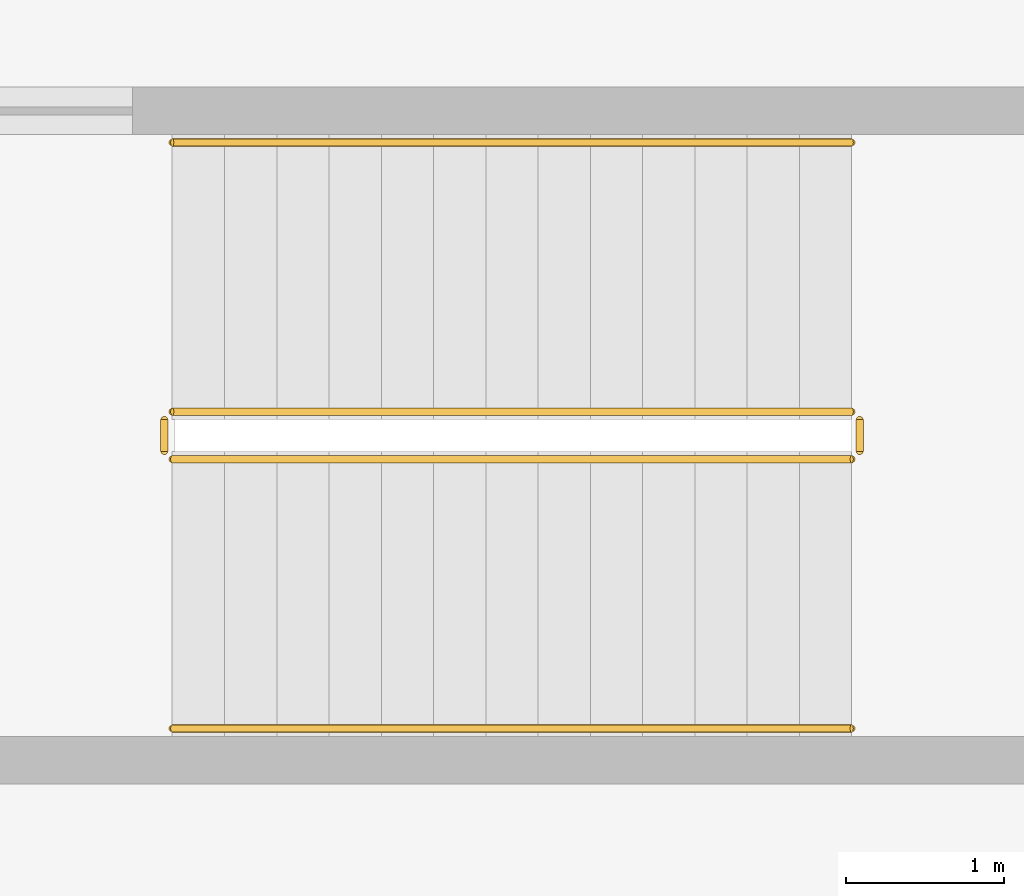
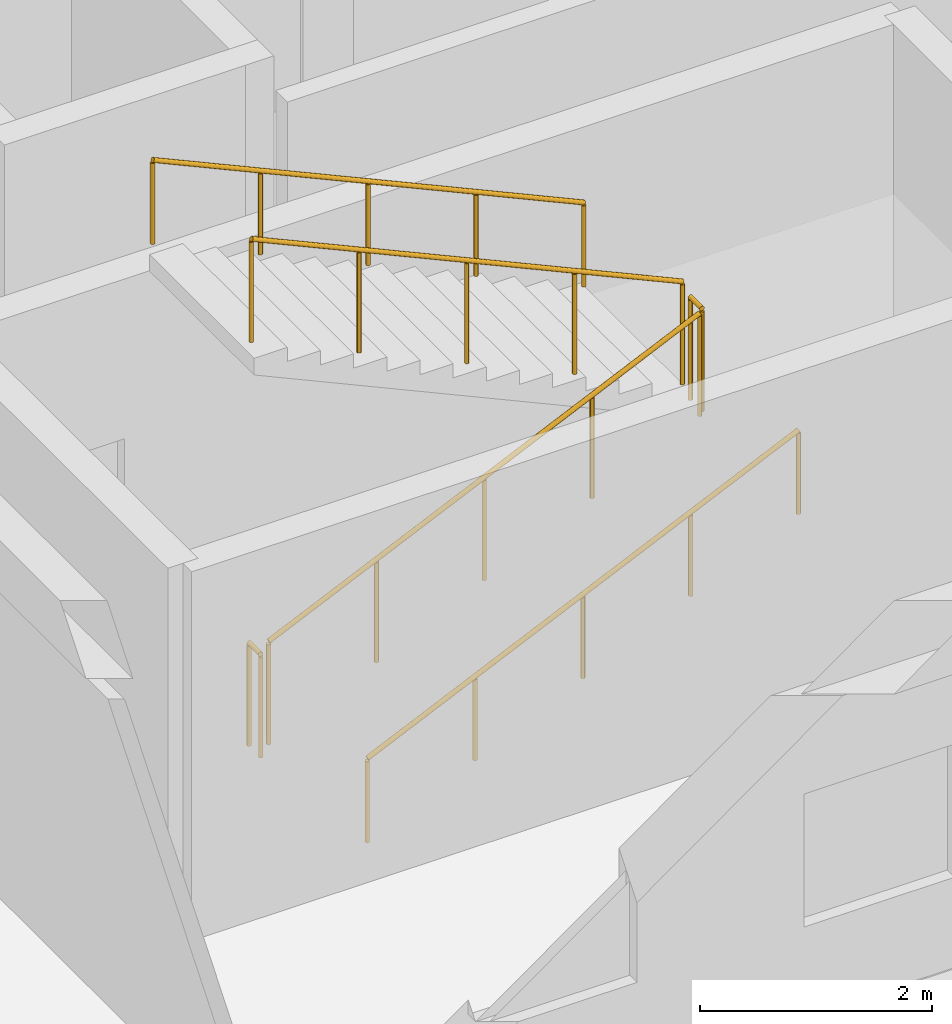
# One storey, part 40 of 41: 6 railings.
"""IFC4 building model written with IfcOpenShell, lengths in metres."""

import ifcopenshell
import ifcopenshell.guid

model = None  # the IFC model being written
_history = None  # IfcOwnerHistory: only IFC2X3 demands one
_inside = {}  # id of a spatial element -> (the spatial element, [elements in it])
_under = {}  # id of a project, library or spatial element -> (it, [spatial elements below it])
_declared = {}  # id of a project -> (the project, [libraries it declares])
_typed = {}  # id of a type object -> (the type object, [elements of that type])
_made_of = {}  # id of a material, layer set ... -> (it, [elements and type objects made of it])


def new_model(schema):
    """Start an empty IFC model of exactly this schema.

    Asked for "IFC4X3", IfcOpenShell would pick the latest addendum, in which some entities
    have other attributes; the version numbers below select the first issue.
    IFC2X3 requires an IfcOwnerHistory on every rooted entity: one is made here for all.
    """
    global model, _history
    if schema == "IFC4X3":
        model = ifcopenshell.file(schema_version=(4, 3, 0, 0))
    else:
        model = ifcopenshell.file(schema=schema)
    _inside.clear()
    _under.clear()
    _declared.clear()
    _typed.clear()
    _made_of.clear()
    _history = None
    if model.schema == "IFC2X3":
        org = make("IfcOrganization", Name="unknown")
        user = make(
            "IfcPersonAndOrganization",
            ThePerson=make("IfcPerson", FamilyName="unknown"),
            TheOrganization=org,
        )
        app = make(
            "IfcApplication",
            ApplicationDeveloper=org,
            Version="unknown",
            ApplicationFullName="unknown",
            ApplicationIdentifier="unknown",
        )
        _history = make(
            "IfcOwnerHistory",
            OwningUser=user,
            OwningApplication=app,
            ChangeAction="ADDED",
            CreationDate=0,
        )
    return model


def make(cls, **values):
    """One entity of the class cls with the attributes given. An attribute that is None is left unset."""
    return model.create_entity(
        cls, **{name: value for name, value in values.items() if value is not None}
    )


def rooted(cls, **values):
    """An entity with a GlobalId (a new one), such as an element, a storey or a relation."""
    return make(cls, GlobalId=ifcopenshell.guid.new(), OwnerHistory=_history, **values)


def si_unit(unit_type, name, prefix=None):
    """IfcSIUnit, for example si_unit("LENGTHUNIT", "METRE", prefix="MILLI")."""
    return make("IfcSIUnit", UnitType=unit_type, Prefix=prefix, Name=name)


def assignment(units):
    """IfcUnitAssignment: the units of a project."""
    return None if units is None else make("IfcUnitAssignment", Units=units)


def point(xyz):
    """IfcCartesianPoint."""
    return None if xyz is None else make("IfcCartesianPoint", Coordinates=xyz)


def direction(xyz):
    """IfcDirection."""
    return None if xyz is None else make("IfcDirection", DirectionRatios=xyz)


def frame(location, z_axis=None, x_axis=None):
    """IfcAxis2Placement3D, a coordinate frame: its origin and axes. An axis left out is left unset."""
    return make(
        "IfcAxis2Placement3D",
        Location=point(location),
        Axis=direction(z_axis),
        RefDirection=direction(x_axis),
    )


def frame_2d(location, x_axis=None):
    """IfcAxis2Placement2D, a coordinate frame in the plane: its origin and x axis."""
    return make(
        "IfcAxis2Placement2D", Location=point(location), RefDirection=direction(x_axis)
    )


def origin():
    """The frame at (0, 0, 0) with its axes left unset."""
    return frame((0.0, 0.0, 0.0))


def origin_2d():
    """The frame at (0, 0) in the plane with its x axis left unset."""
    return frame_2d((0.0, 0.0))


def place(relative_to, where):
    """IfcLocalPlacement: puts the frame where relative to a parent placement (None: the world)."""
    return make(
        "IfcLocalPlacement", PlacementRelTo=relative_to, RelativePlacement=where
    )


def context(
    kind, dimensions, precision=None, world=None, true_north=None, identifier=None
):
    """IfcGeometricRepresentationContext, for example the 3D "Model" context."""
    return make(
        "IfcGeometricRepresentationContext",
        ContextIdentifier=identifier,
        ContextType=kind,
        CoordinateSpaceDimension=dimensions,
        Precision=precision,
        WorldCoordinateSystem=world,
        TrueNorth=true_north,
    )


def subcontext(parent, identifier, kind, view, scale=None):
    """IfcGeometricRepresentationSubContext, for example "Body" below "Model"."""
    return make(
        "IfcGeometricRepresentationSubContext",
        ContextIdentifier=identifier,
        ContextType=kind,
        ParentContext=parent,
        TargetScale=scale,
        TargetView=view,
    )


def project(units=None, contexts=None):
    """IfcProject with its units and contexts."""
    return rooted(
        "IfcProject",
        Name="project",
        RepresentationContexts=contexts,
        UnitsInContext=assignment(units),
    )


def spatial(cls, under=None, at=None, **own):
    """A site, building, storey or space (cls), placed at a placement, below another one or the project."""
    s = rooted(cls, ObjectPlacement=at, **own)
    if under is not None:
        _under.setdefault(under.id(), (under, []))[1].append(s)
    return s


def profile(cls, at=None, kind="AREA", **sizes):
    """A parametric profile (cls). Its sizes go by their IFC names, for example OverallWidth=200.0."""
    return make(cls, ProfileType=kind, Position=at, **sizes)


def circle(**sizes):
    """IfcCircleProfileDef."""
    return profile("IfcCircleProfileDef", **sizes)


def extrude(swept, where, along, depth):
    """IfcExtrudedAreaSolid: the profile swept, set in the frame where, extruded along a direction by depth."""
    return make(
        "IfcExtrudedAreaSolid",
        SweptArea=swept,
        Position=where,
        ExtrudedDirection=direction(along),
        Depth=depth,
    )


def shape(context_of_items, identifier, shape_type, items):
    """IfcShapeRepresentation: the items that make up one representation, for example the "Body"."""
    return make(
        "IfcShapeRepresentation",
        ContextOfItems=context_of_items,
        RepresentationIdentifier=identifier,
        RepresentationType=shape_type,
        Items=items,
    )


def material(Name=None, Category=None):
    """IfcMaterial."""
    return make("IfcMaterial", Name=Name, Category=Category)


def layer(
    of_material, thickness, ventilated=None, Name=None, Category=None, Priority=None
):
    """IfcMaterialLayer: one layer of a wall or slab, of a material (None: an air gap)."""
    return make(
        "IfcMaterialLayer",
        Material=of_material,
        LayerThickness=thickness,
        IsVentilated=ventilated,
        Name=Name,
        Category=Category,
        Priority=Priority,
    )


def layer_set(layers, Name=None):
    """IfcMaterialLayerSet."""
    return make("IfcMaterialLayerSet", MaterialLayers=layers, LayerSetName=Name)


def made_of(thing, what):
    """Note that an element or type object is made of a material, layer set ...; save() writes the relation."""
    if what is not None:
        _made_of.setdefault(what.id(), (what, []))[1].append(thing)
    return thing


def type_object(cls, material=None, **own):
    """A type object (cls), such as IfcWallType, which elements share."""
    return made_of(rooted(cls, **own), material)


def element(
    cls,
    number,
    at=None,
    inside=None,
    cuts=None,
    type_object=None,
    material=None,
    context=None,
    identifier="Body",
    shape_type=None,
    held_by="IfcProductDefinitionShape",
    body=None,
    shapes=None,
    **own,
):
    """One element of the class cls, such as IfcWall. Its Tag is "e" and its number.

    at: its placement. inside: the storey or other place that contains it. cuts: it is an
    opening in that element (IfcRelVoidsElement). A single representation is given by context,
    identifier, shape_type and body (its items); several are given by shapes. held_by: the class
    of the entity that holds the representations. save() writes the other relations.
    """
    e = rooted(cls, Tag="e%d" % number, ObjectPlacement=at, **own)
    if body is not None:
        shapes = [shape(context, identifier, shape_type, body)]
    if shapes is not None:
        e.Representation = make(held_by, Representations=shapes)
    if inside is not None:
        _inside.setdefault(inside.id(), (inside, []))[1].append(e)
    if cuts is not None:
        rooted(
            "IfcRelVoidsElement", RelatingBuildingElement=cuts, RelatedOpeningElement=e
        )
    if type_object is not None:
        _typed.setdefault(type_object.id(), (type_object, []))[1].append(e)
    return made_of(e, material)


def aggregate(whole, parts):
    """IfcRelAggregates: a whole, such as a stair, and the parts it consists of."""
    return rooted("IfcRelAggregates", RelatingObject=whole, RelatedObjects=parts)


def save(model, path):
    """Write the relations noted so far, then the file.

    IfcRelAggregates (storeys below a building ...), IfcRelContainedInSpatialStructure (elements
    in a storey), IfcRelDefinesByType, IfcRelAssociatesMaterial and IfcRelDeclares: one each for
    every whole, place, type object, material and project.
    """
    for whole, parts in _under.values():
        aggregate(whole, parts)
    for where, things in _inside.values():
        rooted(
            "IfcRelContainedInSpatialStructure",
            RelatedElements=things,
            RelatingStructure=where,
        )
    for kind, things in _typed.values():
        rooted("IfcRelDefinesByType", RelatedObjects=things, RelatingType=kind)
    for what, things in _made_of.values():
        rooted("IfcRelAssociatesMaterial", RelatedObjects=things, RelatingMaterial=what)
    for by, libraries in _declared.values():
        rooted("IfcRelDeclares", RelatingContext=by, RelatedDefinitions=libraries)
    model.write(path)


model = new_model("IFC4")

# Units and contexts
model_context = context("Model", 3, precision=1e-05, world=origin(), true_north=direction((0.0, 1.0)))
body_context = subcontext(model_context, "Body", "Model", "MODEL_VIEW")
ifc_project = project(units=[si_unit("LENGTHUNIT", "METRE"), si_unit("AREAUNIT", "SQUARE_METRE"), si_unit("VOLUMEUNIT", "CUBIC_METRE"), si_unit("PLANEANGLEUNIT", "RADIAN"), si_unit("MASSUNIT", "GRAM", prefix="KILO")], contexts=[model_context])

# Site, building, storey
site_placement = place(None, origin())
site = spatial("IfcSite", under=ifc_project, at=site_placement, CompositionType="ELEMENT")
building_placement = place(site_placement, origin())
building = spatial("IfcBuilding", under=site, at=building_placement, Name="Malvenik Polytechnic", CompositionType="ELEMENT")
storey_placement = place(building_placement, frame((0.0, 0.0, 17.699951171875)))
storey = spatial("IfcBuildingStorey", under=building, at=storey_placement, Name="L04", CompositionType="ELEMENT", Elevation=17.699951171875)

# Railings
ifc_material_1 = material(Name="Painted galvanised steel stair well balustrade 1100mm", Category="steel")
ifc_layer_1 = layer(ifc_material_1, 0.050048828125)
ifc_layer_set_1 = layer_set([ifc_layer_1], Name="Painted galvanised steel stair well balustrade 1100mm")
railing_type_1 = type_object("IfcRailingType", Name="ARC-RL-STGD", PredefinedType="BALUSTRADE", material=ifc_layer_set_1)
railing_1_placement = place(storey_placement, frame((53.39990234375, 120.89990234375, 0.150146484375)))
element("IfcRailing", 1, at=railing_1_placement, inside=storey, type_object=railing_type_1, Name="L04 ST-02 stair guard 1", PredefinedType="BALUSTRADE", context=body_context, shape_type="SweptSolid", body=[
    extrude(circle(Radius=0.02392578125, at=origin_2d()), frame((0.0, 0.0, 1.076171875), z_axis=(0.910371800137, 0.0, 0.413791234219), x_axis=(0.0, 1.0, 0.0)), (0.0, 0.0, 1.0), 4.71240234375),
    extrude(circle(Radius=0.02099609375, at=origin_2d()), origin(), (0.0, 0.0, 1.0), 1.052001953125),
    extrude(circle(Radius=0.02099609375, at=origin_2d()), frame((1.072509765625, 0.0, 0.487548828125)), (0.0, 0.0, 1.0), 1.052001953125),
    extrude(circle(Radius=0.02099609375, at=origin_2d()), frame((2.14501953125, 0.0, 0.97509765625)), (0.0, 0.0, 1.0), 1.052001953125),
    extrude(circle(Radius=0.02099609375, at=origin_2d()), frame((3.217529296875, 0.0, 1.46240234375)), (0.0, 0.0, 1.0), 1.052001953125),
    extrude(circle(Radius=0.02099609375, at=origin_2d()), frame((4.2900390625, 0.0, 1.949951171875)), (0.0, 0.0, 1.0), 1.052001953125),
])
railing_2_placement = place(storey_placement, frame((57.739990234375, 120.949951171875, 2.10009765625)))
element("IfcRailing", 2, at=railing_2_placement, inside=storey, type_object=railing_type_1, Name="L04 ST-02 stair guard 2", PredefinedType="BALUSTRADE", context=body_context, shape_type="SweptSolid", body=[
    extrude(circle(Radius=0.02392578125, at=origin_2d()), frame((0.0, 0.0, 1.076171875), z_axis=(0.0, 1.0, 0.0), x_axis=(-1.0, 0.0, 0.0)), (0.0, 0.0, 1.0), 0.199951171875),
    extrude(circle(Radius=0.02099609375, at=origin_2d()), origin(), (0.0, 0.0, 1.0), 1.052001953125),
    extrude(circle(Radius=0.02099609375, at=origin_2d()), frame((0.0, 0.199951171875, 0.0)), (0.0, 0.0, 1.0), 1.052001953125),
])
railing_3_placement = place(storey_placement, frame((57.68994140625, 121.199951171875, 2.25)))
element("IfcRailing", 3, at=railing_3_placement, inside=storey, type_object=railing_type_1, Name="L04 ST-02 stair guard 3", PredefinedType="BALUSTRADE", context=body_context, shape_type="SweptSolid", body=[
    extrude(circle(Radius=0.02392578125, at=origin_2d()), frame((0.0, 0.0, 1.076171875), z_axis=(-0.910371800137, 0.0, 0.413791234219), x_axis=(0.0, -1.0, 0.0)), (0.0, 0.0, 1.0), 4.71240234375),
    extrude(circle(Radius=0.02099609375, at=origin_2d()), origin(), (0.0, 0.0, 1.0), 1.052001953125),
    extrude(circle(Radius=0.02099609375, at=origin_2d()), frame((-1.072509765625, 0.0, 0.487548828125)), (0.0, 0.0, 1.0), 1.052001953125),
    extrude(circle(Radius=0.02099609375, at=origin_2d()), frame((-2.14501953125, 0.0, 0.97509765625)), (0.0, 0.0, 1.0), 1.052001953125),
    extrude(circle(Radius=0.02099609375, at=origin_2d()), frame((-3.217529296875, 0.0, 1.46240234375)), (0.0, 0.0, 1.0), 1.052001953125),
    extrude(circle(Radius=0.02099609375, at=origin_2d()), frame((-4.2900390625, 0.0, 1.949951171875)), (0.0, 0.0, 1.0), 1.052001953125),
])
railing_4_placement = place(storey_placement, frame((53.35009765625, 120.949951171875, 0.0)))
element("IfcRailing", 4, at=railing_4_placement, inside=storey, type_object=railing_type_1, Name="L04 ST-02 stair guard 4", PredefinedType="BALUSTRADE", context=body_context, shape_type="SweptSolid", body=[
    extrude(circle(Radius=0.02392578125, at=origin_2d()), frame((0.0, 0.0, 1.076171875), z_axis=(0.0, 1.0, 0.0), x_axis=(-1.0, 0.0, 0.0)), (0.0, 0.0, 1.0), 0.199951171875),
    extrude(circle(Radius=0.02099609375, at=origin_2d()), origin(), (0.0, 0.0, 1.0), 1.052001953125),
    extrude(circle(Radius=0.02099609375, at=origin_2d()), frame((0.0, 0.199951171875, 0.0)), (0.0, 0.0, 1.0), 1.052001953125),
])
ifc_material_2 = material(Name="Brushed stainless steel 1.4301 stair wall handrail", Category="steel")
ifc_layer_2 = layer(ifc_material_2, 0.044921875)
ifc_layer_set_2 = layer_set([ifc_layer_2], Name="Brushed stainless steel 1.4301 stair wall handrail")
railing_type_2 = type_object("IfcRailingType", Name="ARC-RL-STHR", PredefinedType="HANDRAIL", material=ifc_layer_set_2)
railing_5_placement = place(storey_placement, frame((53.39990234375, 119.199951171875, 0.150146484375)))
element("IfcRailing", 5, at=railing_5_placement, inside=storey, type_object=railing_type_2, Name="L04 ST-02 stair handrail 1", PredefinedType="HANDRAIL", context=body_context, shape_type="SweptSolid", body=[
    extrude(circle(Radius=0.02392578125, at=origin_2d()), frame((0.0, 0.0, 0.8759765625), z_axis=(0.910371800137, 0.0, 0.413791234219), x_axis=(0.0, 1.0, 0.0)), (0.0, 0.0, 1.0), 4.71240234375),
    extrude(circle(Radius=0.02099609375, at=origin_2d()), origin(), (0.0, 0.0, 1.0), 0.851806640625),
    extrude(circle(Radius=0.02099609375, at=origin_2d()), frame((1.072509765625, 0.0, 0.487548828125)), (0.0, 0.0, 1.0), 0.851806640625),
    extrude(circle(Radius=0.02099609375, at=origin_2d()), frame((2.14501953125, 0.0, 0.97509765625)), (0.0, 0.0, 1.0), 0.851806640625),
    extrude(circle(Radius=0.02099609375, at=origin_2d()), frame((3.217529296875, 0.0, 1.46240234375)), (0.0, 0.0, 1.0), 0.851806640625),
    extrude(circle(Radius=0.02099609375, at=origin_2d()), frame((4.2900390625, 0.0, 1.949951171875)), (0.0, 0.0, 1.0), 0.851806640625),
])
railing_6_placement = place(storey_placement, frame((57.68994140625, 122.89990234375, 2.25)))
element("IfcRailing", 6, at=railing_6_placement, inside=storey, type_object=railing_type_2, Name="L04 ST-02 stair handrail 2", PredefinedType="HANDRAIL", context=body_context, shape_type="SweptSolid", body=[
    extrude(circle(Radius=0.02392578125, at=origin_2d()), frame((0.0, 0.0, 0.8759765625), z_axis=(-0.910371800137, 0.0, 0.413791234219), x_axis=(0.0, -1.0, 0.0)), (0.0, 0.0, 1.0), 4.71240234375),
    extrude(circle(Radius=0.02099609375, at=origin_2d()), origin(), (0.0, 0.0, 1.0), 0.851806640625),
    extrude(circle(Radius=0.02099609375, at=origin_2d()), frame((-1.072509765625, 0.0, 0.487548828125)), (0.0, 0.0, 1.0), 0.851806640625),
    extrude(circle(Radius=0.02099609375, at=origin_2d()), frame((-2.14501953125, 0.0, 0.97509765625)), (0.0, 0.0, 1.0), 0.851806640625),
    extrude(circle(Radius=0.02099609375, at=origin_2d()), frame((-3.217529296875, 0.0, 1.46240234375)), (0.0, 0.0, 1.0), 0.851806640625),
    extrude(circle(Radius=0.02099609375, at=origin_2d()), frame((-4.2900390625, 0.0, 1.949951171875)), (0.0, 0.0, 1.0), 0.851806640625),
])

save(model, "model.ifc")
